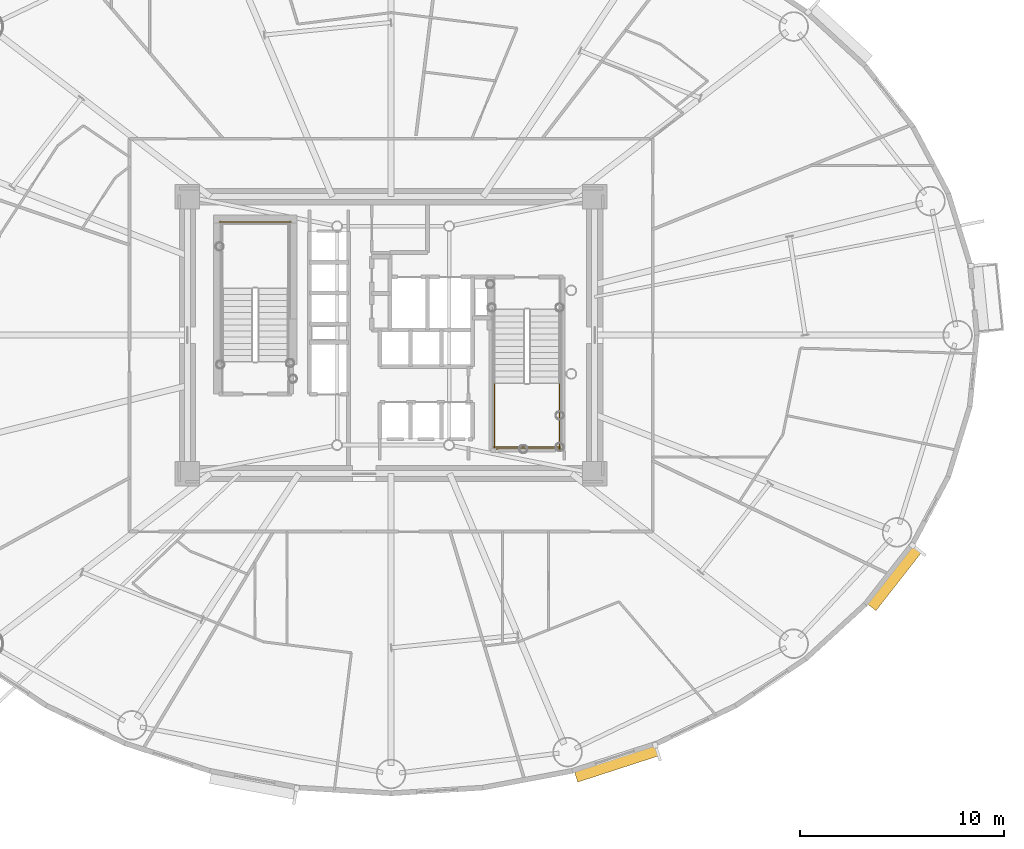
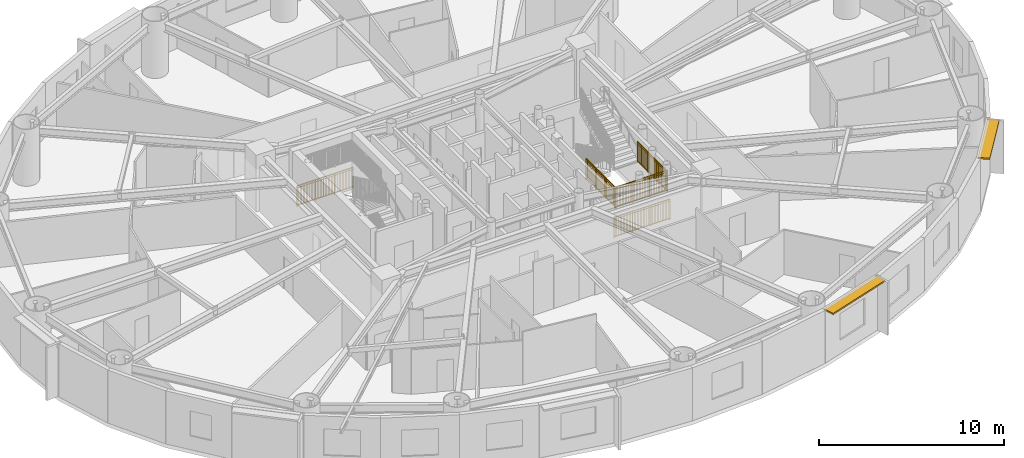
# One storey, part 18 of 21: 5 railings, 2 shading devices.
"""IFC4 building model written with IfcOpenShell, lengths in metres."""

import ifcopenshell
import ifcopenshell.guid

model = None  # the IFC model being written
_history = None  # IfcOwnerHistory: only IFC2X3 demands one
_inside = {}  # id of a spatial element -> (the spatial element, [elements in it])
_under = {}  # id of a project, library or spatial element -> (it, [spatial elements below it])
_declared = {}  # id of a project -> (the project, [libraries it declares])
_typed = {}  # id of a type object -> (the type object, [elements of that type])
_made_of = {}  # id of a material, layer set ... -> (it, [elements and type objects made of it])


def new_model(schema):
    """Start an empty IFC model of exactly this schema.

    Asked for "IFC4X3", IfcOpenShell would pick the latest addendum, in which some entities
    have other attributes; the version numbers below select the first issue.
    IFC2X3 requires an IfcOwnerHistory on every rooted entity: one is made here for all.
    """
    global model, _history
    if schema == "IFC4X3":
        model = ifcopenshell.file(schema_version=(4, 3, 0, 0))
    else:
        model = ifcopenshell.file(schema=schema)
    _inside.clear()
    _under.clear()
    _declared.clear()
    _typed.clear()
    _made_of.clear()
    _history = None
    if model.schema == "IFC2X3":
        org = make("IfcOrganization", Name="unknown")
        user = make(
            "IfcPersonAndOrganization",
            ThePerson=make("IfcPerson", FamilyName="unknown"),
            TheOrganization=org,
        )
        app = make(
            "IfcApplication",
            ApplicationDeveloper=org,
            Version="unknown",
            ApplicationFullName="unknown",
            ApplicationIdentifier="unknown",
        )
        _history = make(
            "IfcOwnerHistory",
            OwningUser=user,
            OwningApplication=app,
            ChangeAction="ADDED",
            CreationDate=0,
        )
    return model


def make(cls, **values):
    """One entity of the class cls with the attributes given. An attribute that is None is left unset."""
    return model.create_entity(
        cls, **{name: value for name, value in values.items() if value is not None}
    )


def rooted(cls, **values):
    """An entity with a GlobalId (a new one), such as an element, a storey or a relation."""
    return make(cls, GlobalId=ifcopenshell.guid.new(), OwnerHistory=_history, **values)


def si_unit(unit_type, name, prefix=None):
    """IfcSIUnit, for example si_unit("LENGTHUNIT", "METRE", prefix="MILLI")."""
    return make("IfcSIUnit", UnitType=unit_type, Prefix=prefix, Name=name)


def assignment(units):
    """IfcUnitAssignment: the units of a project."""
    return None if units is None else make("IfcUnitAssignment", Units=units)


def point(xyz):
    """IfcCartesianPoint."""
    return None if xyz is None else make("IfcCartesianPoint", Coordinates=xyz)


def direction(xyz):
    """IfcDirection."""
    return None if xyz is None else make("IfcDirection", DirectionRatios=xyz)


def frame(location, z_axis=None, x_axis=None):
    """IfcAxis2Placement3D, a coordinate frame: its origin and axes. An axis left out is left unset."""
    return make(
        "IfcAxis2Placement3D",
        Location=point(location),
        Axis=direction(z_axis),
        RefDirection=direction(x_axis),
    )


def frame_2d(location, x_axis=None):
    """IfcAxis2Placement2D, a coordinate frame in the plane: its origin and x axis."""
    return make(
        "IfcAxis2Placement2D", Location=point(location), RefDirection=direction(x_axis)
    )


def origin():
    """The frame at (0, 0, 0) with its axes left unset."""
    return frame((0.0, 0.0, 0.0))


def origin_2d():
    """The frame at (0, 0) in the plane with its x axis left unset."""
    return frame_2d((0.0, 0.0))


def place(relative_to, where):
    """IfcLocalPlacement: puts the frame where relative to a parent placement (None: the world)."""
    return make(
        "IfcLocalPlacement", PlacementRelTo=relative_to, RelativePlacement=where
    )


def context(
    kind, dimensions, precision=None, world=None, true_north=None, identifier=None
):
    """IfcGeometricRepresentationContext, for example the 3D "Model" context."""
    return make(
        "IfcGeometricRepresentationContext",
        ContextIdentifier=identifier,
        ContextType=kind,
        CoordinateSpaceDimension=dimensions,
        Precision=precision,
        WorldCoordinateSystem=world,
        TrueNorth=true_north,
    )


def subcontext(parent, identifier, kind, view, scale=None):
    """IfcGeometricRepresentationSubContext, for example "Body" below "Model"."""
    return make(
        "IfcGeometricRepresentationSubContext",
        ContextIdentifier=identifier,
        ContextType=kind,
        ParentContext=parent,
        TargetScale=scale,
        TargetView=view,
    )


def project(units=None, contexts=None):
    """IfcProject with its units and contexts."""
    return rooted(
        "IfcProject",
        Name="project",
        RepresentationContexts=contexts,
        UnitsInContext=assignment(units),
    )


def spatial(cls, under=None, at=None, **own):
    """A site, building, storey or space (cls), placed at a placement, below another one or the project."""
    s = rooted(cls, ObjectPlacement=at, **own)
    if under is not None:
        _under.setdefault(under.id(), (under, []))[1].append(s)
    return s


def profile(cls, at=None, kind="AREA", **sizes):
    """A parametric profile (cls). Its sizes go by their IFC names, for example OverallWidth=200.0."""
    return make(cls, ProfileType=kind, Position=at, **sizes)


def rectangle(**sizes):
    """IfcRectangleProfileDef."""
    return profile("IfcRectangleProfileDef", **sizes)


def extrude(swept, where, along, depth):
    """IfcExtrudedAreaSolid: the profile swept, set in the frame where, extruded along a direction by depth."""
    return make(
        "IfcExtrudedAreaSolid",
        SweptArea=swept,
        Position=where,
        ExtrudedDirection=direction(along),
        Depth=depth,
    )


def shape(context_of_items, identifier, shape_type, items):
    """IfcShapeRepresentation: the items that make up one representation, for example the "Body"."""
    return make(
        "IfcShapeRepresentation",
        ContextOfItems=context_of_items,
        RepresentationIdentifier=identifier,
        RepresentationType=shape_type,
        Items=items,
    )


def source(mapping_origin, context_of_items, identifier, shape_type, items):
    """IfcRepresentationMap: a shape defined once, which mapped items show again and again."""
    return make(
        "IfcRepresentationMap",
        MappingOrigin=mapping_origin,
        MappedRepresentation=shape(context_of_items, identifier, shape_type, items),
    )


def transform(
    local_origin,
    x_axis=None,
    y_axis=None,
    z_axis=None,
    scale=None,
    scale2=None,
    scale3=None,
    uniform=True,
):
    """IfcCartesianTransformationOperator3D, or its non-uniform kind. x_axis, y_axis, z_axis: its Axis1, 2, 3."""
    if uniform:
        return make(
            "IfcCartesianTransformationOperator3D",
            Axis1=direction(x_axis),
            Axis2=direction(y_axis),
            LocalOrigin=point(local_origin),
            Scale=scale,
            Axis3=direction(z_axis),
        )
    return make(
        "IfcCartesianTransformationOperator3DnonUniform",
        Axis1=direction(x_axis),
        Axis2=direction(y_axis),
        LocalOrigin=point(local_origin),
        Scale=scale,
        Axis3=direction(z_axis),
        Scale2=scale2,
        Scale3=scale3,
    )


def mapped(mapping_source, mapping_target):
    """IfcMappedItem: shows the shape of a source again, moved by a transform."""
    return make(
        "IfcMappedItem", MappingSource=mapping_source, MappingTarget=mapping_target
    )


def material(Name=None, Category=None):
    """IfcMaterial."""
    return make("IfcMaterial", Name=Name, Category=Category)


def layer(
    of_material, thickness, ventilated=None, Name=None, Category=None, Priority=None
):
    """IfcMaterialLayer: one layer of a wall or slab, of a material (None: an air gap)."""
    return make(
        "IfcMaterialLayer",
        Material=of_material,
        LayerThickness=thickness,
        IsVentilated=ventilated,
        Name=Name,
        Category=Category,
        Priority=Priority,
    )


def layer_set(layers, Name=None):
    """IfcMaterialLayerSet."""
    return make("IfcMaterialLayerSet", MaterialLayers=layers, LayerSetName=Name)


def made_of(thing, what):
    """Note that an element or type object is made of a material, layer set ...; save() writes the relation."""
    if what is not None:
        _made_of.setdefault(what.id(), (what, []))[1].append(thing)
    return thing


def type_object(cls, material=None, **own):
    """A type object (cls), such as IfcWallType, which elements share."""
    return made_of(rooted(cls, **own), material)


def element(
    cls,
    number,
    at=None,
    inside=None,
    cuts=None,
    type_object=None,
    material=None,
    context=None,
    identifier="Body",
    shape_type=None,
    held_by="IfcProductDefinitionShape",
    body=None,
    shapes=None,
    **own,
):
    """One element of the class cls, such as IfcWall. Its Tag is "e" and its number.

    at: its placement. inside: the storey or other place that contains it. cuts: it is an
    opening in that element (IfcRelVoidsElement). A single representation is given by context,
    identifier, shape_type and body (its items); several are given by shapes. held_by: the class
    of the entity that holds the representations. save() writes the other relations.
    """
    e = rooted(cls, Tag="e%d" % number, ObjectPlacement=at, **own)
    if body is not None:
        shapes = [shape(context, identifier, shape_type, body)]
    if shapes is not None:
        e.Representation = make(held_by, Representations=shapes)
    if inside is not None:
        _inside.setdefault(inside.id(), (inside, []))[1].append(e)
    if cuts is not None:
        rooted(
            "IfcRelVoidsElement", RelatingBuildingElement=cuts, RelatedOpeningElement=e
        )
    if type_object is not None:
        _typed.setdefault(type_object.id(), (type_object, []))[1].append(e)
    return made_of(e, material)


def aggregate(whole, parts):
    """IfcRelAggregates: a whole, such as a stair, and the parts it consists of."""
    return rooted("IfcRelAggregates", RelatingObject=whole, RelatedObjects=parts)


def save(model, path):
    """Write the relations noted so far, then the file.

    IfcRelAggregates (storeys below a building ...), IfcRelContainedInSpatialStructure (elements
    in a storey), IfcRelDefinesByType, IfcRelAssociatesMaterial and IfcRelDeclares: one each for
    every whole, place, type object, material and project.
    """
    for whole, parts in _under.values():
        aggregate(whole, parts)
    for where, things in _inside.values():
        rooted(
            "IfcRelContainedInSpatialStructure",
            RelatedElements=things,
            RelatingStructure=where,
        )
    for kind, things in _typed.values():
        rooted("IfcRelDefinesByType", RelatedObjects=things, RelatingType=kind)
    for what, things in _made_of.values():
        rooted("IfcRelAssociatesMaterial", RelatedObjects=things, RelatingMaterial=what)
    for by, libraries in _declared.values():
        rooted("IfcRelDeclares", RelatingContext=by, RelatedDefinitions=libraries)
    model.write(path)


model = new_model("IFC4")

# Units and contexts
model_context = context("Model", 3, precision=1e-05, world=origin(), true_north=direction((0.0, 1.0)))
body_context = subcontext(model_context, "Body", "Model", "MODEL_VIEW")
ifc_project = project(units=[si_unit("LENGTHUNIT", "METRE"), si_unit("AREAUNIT", "SQUARE_METRE"), si_unit("VOLUMEUNIT", "CUBIC_METRE"), si_unit("PLANEANGLEUNIT", "RADIAN"), si_unit("MASSUNIT", "GRAM", prefix="KILO")], contexts=[model_context])

# Site, building, storey
site_placement = place(None, origin())
site = spatial("IfcSite", under=ifc_project, at=site_placement, CompositionType="ELEMENT")
building_placement = place(site_placement, origin())
building = spatial("IfcBuilding", under=site, at=building_placement, Name="Linh Dai School and Residence Tower", CompositionType="ELEMENT")
storey_placement = place(building_placement, frame((0.0, 0.0, 97.199951171875)))
storey = spatial("IfcBuildingStorey", under=building, at=storey_placement, Name="L22", CompositionType="ELEMENT", Elevation=97.199951171875)

# Shading devices
ifc_material_1 = material(Name="Terracotta Ceramic Sunshade", Category="masonry")
ifc_layer = layer(ifc_material_1, 0.10009765625)
ifc_layer_set = layer_set([ifc_layer], Name="Terracotta Ceramic Sunshade")
shading_device_type = type_object("IfcShadingDeviceType", Name="SHD-TC-650", PredefinedType="USERDEFINED", material=ifc_layer_set)
shared_shape_1 = source(origin(), body_context, "Body", "SweptSolid", [
    extrude(rectangle(XDim=4.212890625, YDim=0.64990234375, at=origin_2d()), origin(), (0.0, 0.0, 1.0), 0.10009765625),
])
shading_device_1_placement = place(storey_placement, frame((47.07470703125, 6.004638671875, 3.3798828125), z_axis=(0.0, 0.0, 1.0), x_axis=(-0.951217089442, -0.308522363457, 0.0)))
element("IfcShadingDevice", 1, at=shading_device_1_placement, inside=storey, type_object=shading_device_type, Name="L22 Terracotta Horizontal Sunshade Band 33", ObjectType="SUNSHADE", PredefinedType="USERDEFINED", context=body_context, shape_type="MappedRepresentation", body=[
    mapped(shared_shape_1, transform((0.0, 0.0, 0.0), x_axis=(1.0, 0.0, 0.0), y_axis=(0.0, 1.0, 0.0), z_axis=(0.0, 0.0, 1.0), scale=1.0)),
])
shared_shape_2 = source(origin(), body_context, "Body", "SweptSolid", [
    extrude(rectangle(XDim=3.67041015625, YDim=0.64990234375, at=origin_2d()), origin(), (0.0, 0.0, 1.0), 0.10009765625),
])
shading_device_2_placement = place(storey_placement, frame((60.691650390625, 15.11328125, 3.3798828125), z_axis=(0.0, 0.0, 1.0), x_axis=(-0.616305017583, -0.787507539838, 0.0)))
element("IfcShadingDevice", 2, at=shading_device_2_placement, inside=storey, type_object=shading_device_type, Name="L22 Terracotta Horizontal Sunshade Band 37", ObjectType="SUNSHADE", PredefinedType="USERDEFINED", context=body_context, shape_type="MappedRepresentation", body=[
    mapped(shared_shape_2, transform((0.0, 0.0, 0.0), x_axis=(1.0, 0.0, 0.0), y_axis=(0.0, 1.0, 0.0), z_axis=(0.0, 0.0, 1.0), scale=1.0)),
])

# Railings
ifc_material_2 = material(Name="Structural Steel S355JR", Category="steel")
railing_type = type_object("IfcRailingType", Name="RL-ST-GUARD-1400", PredefinedType="GUARDRAIL", material=ifc_material_2)
shared_shape_3 = source(origin(), body_context, "Body", "SweptSolid", [
    extrude(rectangle(XDim=0.048095703125, YDim=0.048095703125, at=origin_2d()), frame((0.0, 0.0, 1.3759765625), z_axis=(-1.0, 0.0, 0.0), x_axis=(0.0, -1.0, 0.0)), (0.0, 0.0, 1.0), 3.5),
    extrude(rectangle(XDim=0.048095703125, YDim=0.048095703125, at=origin_2d()), frame((0.0, 0.0, 0.10009765625), z_axis=(-1.0, 0.0, 0.0), x_axis=(0.0, -1.0, 0.0)), (0.0, 0.0, 1.0), 3.5),
    extrude(rectangle(XDim=0.030029296875, YDim=0.030029296875, at=origin_2d()), frame((0.0, 0.0, 1.239990234375), z_axis=(-1.0, 0.0, 0.0), x_axis=(0.0, -1.0, 0.0)), (0.0, 0.0, 1.0), 3.5),
    extrude(rectangle(XDim=0.02001953125, YDim=0.02001953125, at=origin_2d()), frame((-0.09716796875, 0.0, 0.10009765625)), (0.0, 0.0, 1.0), 1.251708984375),
    extrude(rectangle(XDim=0.02001953125, YDim=0.02001953125, at=origin_2d()), frame((-0.1943359375, 0.0, 0.10009765625)), (0.0, 0.0, 1.0), 1.251708984375),
    extrude(rectangle(XDim=0.02001953125, YDim=0.02001953125, at=origin_2d()), frame((-0.291748046875, 0.0, 0.10009765625)), (0.0, 0.0, 1.0), 1.251708984375),
    extrude(rectangle(XDim=0.02001953125, YDim=0.02001953125, at=origin_2d()), frame((-0.388916015625, 0.0, 0.10009765625)), (0.0, 0.0, 1.0), 1.251708984375),
    extrude(rectangle(XDim=0.02001953125, YDim=0.02001953125, at=origin_2d()), frame((-0.486083984375, 0.0, 0.10009765625)), (0.0, 0.0, 1.0), 1.251708984375),
    extrude(rectangle(XDim=0.02001953125, YDim=0.02001953125, at=origin_2d()), frame((-0.583251953125, 0.0, 0.10009765625)), (0.0, 0.0, 1.0), 1.251708984375),
    extrude(rectangle(XDim=0.02001953125, YDim=0.02001953125, at=origin_2d()), frame((-0.6806640625, 0.0, 0.10009765625)), (0.0, 0.0, 1.0), 1.251708984375),
    extrude(rectangle(XDim=0.02001953125, YDim=0.02001953125, at=origin_2d()), frame((-0.77783203125, 0.0, 0.10009765625)), (0.0, 0.0, 1.0), 1.251708984375),
    extrude(rectangle(XDim=0.02001953125, YDim=0.02001953125, at=origin_2d()), frame((-0.875, 0.0, 0.10009765625)), (0.0, 0.0, 1.0), 1.251708984375),
    extrude(rectangle(XDim=0.02001953125, YDim=0.02001953125, at=origin_2d()), frame((-0.97216796875, 0.0, 0.10009765625)), (0.0, 0.0, 1.0), 1.251708984375),
    extrude(rectangle(XDim=0.02001953125, YDim=0.02001953125, at=origin_2d()), frame((-1.0693359375, 0.0, 0.10009765625)), (0.0, 0.0, 1.0), 1.251708984375),
    extrude(rectangle(XDim=0.02001953125, YDim=0.02001953125, at=origin_2d()), frame((-1.263916015625, 0.0, 0.10009765625)), (0.0, 0.0, 1.0), 1.251708984375),
    extrude(rectangle(XDim=0.02001953125, YDim=0.02001953125, at=origin_2d()), frame((-1.361083984375, 0.0, 0.10009765625)), (0.0, 0.0, 1.0), 1.251708984375),
    extrude(rectangle(XDim=0.02001953125, YDim=0.02001953125, at=origin_2d()), frame((-1.458251953125, 0.0, 0.10009765625)), (0.0, 0.0, 1.0), 1.251708984375),
    extrude(rectangle(XDim=0.02001953125, YDim=0.02001953125, at=origin_2d()), frame((-1.5556640625, 0.0, 0.10009765625)), (0.0, 0.0, 1.0), 1.251708984375),
    extrude(rectangle(XDim=0.02001953125, YDim=0.02001953125, at=origin_2d()), frame((-1.65283203125, 0.0, 0.10009765625)), (0.0, 0.0, 1.0), 1.251708984375),
    extrude(rectangle(XDim=0.02001953125, YDim=0.02001953125, at=origin_2d()), frame((-1.75, 0.0, 0.10009765625)), (0.0, 0.0, 1.0), 1.251708984375),
    extrude(rectangle(XDim=0.02001953125, YDim=0.02001953125, at=origin_2d()), frame((-1.84716796875, 0.0, 0.10009765625)), (0.0, 0.0, 1.0), 1.251708984375),
    extrude(rectangle(XDim=0.02001953125, YDim=0.02001953125, at=origin_2d()), frame((-1.9443359375, 0.0, 0.10009765625)), (0.0, 0.0, 1.0), 1.251708984375),
    extrude(rectangle(XDim=0.02001953125, YDim=0.02001953125, at=origin_2d()), frame((-2.041748046875, 0.0, 0.10009765625)), (0.0, 0.0, 1.0), 1.251708984375),
    extrude(rectangle(XDim=0.02001953125, YDim=0.02001953125, at=origin_2d()), frame((-2.138916015625, 0.0, 0.10009765625)), (0.0, 0.0, 1.0), 1.251708984375),
    extrude(rectangle(XDim=0.02001953125, YDim=0.02001953125, at=origin_2d()), frame((-2.236083984375, 0.0, 0.10009765625)), (0.0, 0.0, 1.0), 1.251708984375),
    extrude(rectangle(XDim=0.02001953125, YDim=0.02001953125, at=origin_2d()), frame((-2.4306640625, 0.0, 0.10009765625)), (0.0, 0.0, 1.0), 1.251708984375),
    extrude(rectangle(XDim=0.02001953125, YDim=0.02001953125, at=origin_2d()), frame((-2.52783203125, 0.0, 0.10009765625)), (0.0, 0.0, 1.0), 1.251708984375),
    extrude(rectangle(XDim=0.02001953125, YDim=0.02001953125, at=origin_2d()), frame((-2.625, 0.0, 0.10009765625)), (0.0, 0.0, 1.0), 1.251708984375),
    extrude(rectangle(XDim=0.02001953125, YDim=0.02001953125, at=origin_2d()), frame((-2.72216796875, 0.0, 0.10009765625)), (0.0, 0.0, 1.0), 1.251708984375),
    extrude(rectangle(XDim=0.02001953125, YDim=0.02001953125, at=origin_2d()), frame((-2.8193359375, 0.0, 0.10009765625)), (0.0, 0.0, 1.0), 1.251708984375),
    extrude(rectangle(XDim=0.02001953125, YDim=0.02001953125, at=origin_2d()), frame((-2.916748046875, 0.0, 0.10009765625)), (0.0, 0.0, 1.0), 1.251708984375),
    extrude(rectangle(XDim=0.02001953125, YDim=0.02001953125, at=origin_2d()), frame((-3.013916015625, 0.0, 0.10009765625)), (0.0, 0.0, 1.0), 1.251708984375),
    extrude(rectangle(XDim=0.02001953125, YDim=0.02001953125, at=origin_2d()), frame((-3.111083984375, 0.0, 0.10009765625)), (0.0, 0.0, 1.0), 1.251708984375),
    extrude(rectangle(XDim=0.02001953125, YDim=0.02001953125, at=origin_2d()), frame((-3.208251953125, 0.0, 0.10009765625)), (0.0, 0.0, 1.0), 1.251708984375),
    extrude(rectangle(XDim=0.02001953125, YDim=0.02001953125, at=origin_2d()), frame((-3.3056640625, 0.0, 0.10009765625)), (0.0, 0.0, 1.0), 1.251708984375),
    extrude(rectangle(XDim=0.02001953125, YDim=0.02001953125, at=origin_2d()), frame((-3.40283203125, 0.0, 0.10009765625)), (0.0, 0.0, 1.0), 1.251708984375),
    extrude(rectangle(XDim=0.0419921875, YDim=0.0419921875, at=origin_2d()), origin(), (0.0, 0.0, 1.0), 1.3759765625),
    extrude(rectangle(XDim=0.0419921875, YDim=0.0419921875, at=origin_2d()), frame((-1.166748046875, 0.0, 0.0)), (0.0, 0.0, 1.0), 1.3759765625),
    extrude(rectangle(XDim=0.0419921875, YDim=0.0419921875, at=origin_2d()), frame((-2.333251953125, 0.0, 0.0)), (0.0, 0.0, 1.0), 1.3759765625),
    extrude(rectangle(XDim=0.0419921875, YDim=0.0419921875, at=origin_2d()), frame((-3.5, 0.0, 0.0)), (0.0, 0.0, 1.0), 1.3759765625),
])
railing_1_placement = place(storey_placement, frame((31.080078125, 32.550048828125, 0.0)))
element("IfcRailing", 3, at=railing_1_placement, inside=storey, type_object=railing_type, Name="L22 ST1 stair guard 12", PredefinedType="GUARDRAIL", context=body_context, shape_type="MappedRepresentation", body=[
    mapped(shared_shape_3, transform((0.0, 0.0, 0.0), x_axis=(1.0, 0.0, 0.0), y_axis=(0.0, 1.0, 0.0), z_axis=(0.0, 0.0, 1.0), scale=1.0)),
])
shared_shape_4 = source(origin(), body_context, "Body", "SweptSolid", [
    extrude(rectangle(XDim=0.048095703125, YDim=0.048095703125, at=origin_2d()), frame((0.0, 0.0, 1.3759765625), z_axis=(1.0, 0.0, 0.0), x_axis=(0.0, 1.0, 0.0)), (0.0, 0.0, 1.0), 3.300048828125),
    extrude(rectangle(XDim=0.048095703125, YDim=0.048095703125, at=origin_2d()), frame((0.0, 0.0, 0.10009765625), z_axis=(1.0, 0.0, 0.0), x_axis=(0.0, 1.0, 0.0)), (0.0, 0.0, 1.0), 3.300048828125),
    extrude(rectangle(XDim=0.030029296875, YDim=0.030029296875, at=origin_2d()), frame((0.0, 0.0, 1.239990234375), z_axis=(1.0, 0.0, 0.0), x_axis=(0.0, 1.0, 0.0)), (0.0, 0.0, 1.0), 3.300048828125),
    extrude(rectangle(XDim=0.02001953125, YDim=0.02001953125, at=origin_2d()), frame((0.09716796875, 0.0, 0.10009765625)), (0.0, 0.0, 1.0), 1.251708984375),
    extrude(rectangle(XDim=0.02001953125, YDim=0.02001953125, at=origin_2d()), frame((0.194091796875, 0.0, 0.10009765625)), (0.0, 0.0, 1.0), 1.251708984375),
    extrude(rectangle(XDim=0.02001953125, YDim=0.02001953125, at=origin_2d()), frame((0.291259765625, 0.0, 0.10009765625)), (0.0, 0.0, 1.0), 1.251708984375),
    extrude(rectangle(XDim=0.02001953125, YDim=0.02001953125, at=origin_2d()), frame((0.38818359375, 0.0, 0.10009765625)), (0.0, 0.0, 1.0), 1.251708984375),
    extrude(rectangle(XDim=0.02001953125, YDim=0.02001953125, at=origin_2d()), frame((0.4853515625, 0.0, 0.10009765625)), (0.0, 0.0, 1.0), 1.251708984375),
    extrude(rectangle(XDim=0.02001953125, YDim=0.02001953125, at=origin_2d()), frame((0.582275390625, 0.0, 0.10009765625)), (0.0, 0.0, 1.0), 1.251708984375),
    extrude(rectangle(XDim=0.02001953125, YDim=0.02001953125, at=origin_2d()), frame((0.679443359375, 0.0, 0.10009765625)), (0.0, 0.0, 1.0), 1.251708984375),
    extrude(rectangle(XDim=0.02001953125, YDim=0.02001953125, at=origin_2d()), frame((0.7763671875, 0.0, 0.10009765625)), (0.0, 0.0, 1.0), 1.251708984375),
    extrude(rectangle(XDim=0.02001953125, YDim=0.02001953125, at=origin_2d()), frame((0.87353515625, 0.0, 0.10009765625)), (0.0, 0.0, 1.0), 1.251708984375),
    extrude(rectangle(XDim=0.02001953125, YDim=0.02001953125, at=origin_2d()), frame((0.970703125, 0.0, 0.10009765625)), (0.0, 0.0, 1.0), 1.251708984375),
    extrude(rectangle(XDim=0.02001953125, YDim=0.02001953125, at=origin_2d()), frame((1.164794921875, 0.0, 0.10009765625)), (0.0, 0.0, 1.0), 1.251708984375),
    extrude(rectangle(XDim=0.02001953125, YDim=0.02001953125, at=origin_2d()), frame((1.26171875, 0.0, 0.10009765625)), (0.0, 0.0, 1.0), 1.251708984375),
    extrude(rectangle(XDim=0.02001953125, YDim=0.02001953125, at=origin_2d()), frame((1.35888671875, 0.0, 0.10009765625)), (0.0, 0.0, 1.0), 1.251708984375),
    extrude(rectangle(XDim=0.02001953125, YDim=0.02001953125, at=origin_2d()), frame((1.455810546875, 0.0, 0.10009765625)), (0.0, 0.0, 1.0), 1.251708984375),
    extrude(rectangle(XDim=0.02001953125, YDim=0.02001953125, at=origin_2d()), frame((1.552978515625, 0.0, 0.10009765625)), (0.0, 0.0, 1.0), 1.251708984375),
    extrude(rectangle(XDim=0.02001953125, YDim=0.02001953125, at=origin_2d()), frame((1.64990234375, 0.0, 0.10009765625)), (0.0, 0.0, 1.0), 1.251708984375),
    extrude(rectangle(XDim=0.02001953125, YDim=0.02001953125, at=origin_2d()), frame((1.7470703125, 0.0, 0.10009765625)), (0.0, 0.0, 1.0), 1.251708984375),
    extrude(rectangle(XDim=0.02001953125, YDim=0.02001953125, at=origin_2d()), frame((1.84423828125, 0.0, 0.10009765625)), (0.0, 0.0, 1.0), 1.251708984375),
    extrude(rectangle(XDim=0.02001953125, YDim=0.02001953125, at=origin_2d()), frame((1.941162109375, 0.0, 0.10009765625)), (0.0, 0.0, 1.0), 1.251708984375),
    extrude(rectangle(XDim=0.02001953125, YDim=0.02001953125, at=origin_2d()), frame((2.038330078125, 0.0, 0.10009765625)), (0.0, 0.0, 1.0), 1.251708984375),
    extrude(rectangle(XDim=0.02001953125, YDim=0.02001953125, at=origin_2d()), frame((2.13525390625, 0.0, 0.10009765625)), (0.0, 0.0, 1.0), 1.251708984375),
    extrude(rectangle(XDim=0.02001953125, YDim=0.02001953125, at=origin_2d()), frame((2.329345703125, 0.0, 0.10009765625)), (0.0, 0.0, 1.0), 1.251708984375),
    extrude(rectangle(XDim=0.02001953125, YDim=0.02001953125, at=origin_2d()), frame((2.426513671875, 0.0, 0.10009765625)), (0.0, 0.0, 1.0), 1.251708984375),
    extrude(rectangle(XDim=0.02001953125, YDim=0.02001953125, at=origin_2d()), frame((2.523681640625, 0.0, 0.10009765625)), (0.0, 0.0, 1.0), 1.251708984375),
    extrude(rectangle(XDim=0.02001953125, YDim=0.02001953125, at=origin_2d()), frame((2.62060546875, 0.0, 0.10009765625)), (0.0, 0.0, 1.0), 1.251708984375),
    extrude(rectangle(XDim=0.02001953125, YDim=0.02001953125, at=origin_2d()), frame((2.7177734375, 0.0, 0.10009765625)), (0.0, 0.0, 1.0), 1.251708984375),
    extrude(rectangle(XDim=0.02001953125, YDim=0.02001953125, at=origin_2d()), frame((2.814697265625, 0.0, 0.10009765625)), (0.0, 0.0, 1.0), 1.251708984375),
    extrude(rectangle(XDim=0.02001953125, YDim=0.02001953125, at=origin_2d()), frame((2.911865234375, 0.0, 0.10009765625)), (0.0, 0.0, 1.0), 1.251708984375),
    extrude(rectangle(XDim=0.02001953125, YDim=0.02001953125, at=origin_2d()), frame((3.0087890625, 0.0, 0.10009765625)), (0.0, 0.0, 1.0), 1.251708984375),
    extrude(rectangle(XDim=0.02001953125, YDim=0.02001953125, at=origin_2d()), frame((3.10595703125, 0.0, 0.10009765625)), (0.0, 0.0, 1.0), 1.251708984375),
    extrude(rectangle(XDim=0.02001953125, YDim=0.02001953125, at=origin_2d()), frame((3.202880859375, 0.0, 0.10009765625)), (0.0, 0.0, 1.0), 1.251708984375),
    extrude(rectangle(XDim=0.0419921875, YDim=0.0419921875, at=origin_2d()), origin(), (0.0, 0.0, 1.0), 1.3759765625),
    extrude(rectangle(XDim=0.0419921875, YDim=0.0419921875, at=origin_2d()), frame((1.10009765625, 0.0, 0.0)), (0.0, 0.0, 1.0), 1.3759765625),
    extrude(rectangle(XDim=0.0419921875, YDim=0.0419921875, at=origin_2d()), frame((2.199951171875, 0.0, 0.0)), (0.0, 0.0, 1.0), 1.3759765625),
    extrude(rectangle(XDim=0.0419921875, YDim=0.0419921875, at=origin_2d()), frame((3.300048828125, 0.0, 0.0)), (0.0, 0.0, 1.0), 1.3759765625),
])
railing_2_placement = place(storey_placement, frame((41.02001953125, 21.5, 1.875)))
element("IfcRailing", 4, at=railing_2_placement, inside=storey, type_object=railing_type, Name="L22 ST2 stair guard 5", PredefinedType="GUARDRAIL", context=body_context, shape_type="MappedRepresentation", body=[
    mapped(shared_shape_4, transform((0.0, 0.0, 0.0), x_axis=(1.0, 0.0, 0.0), y_axis=(0.0, 1.0, 0.0), z_axis=(0.0, 0.0, 1.0), scale=1.0)),
])
shared_shape_5 = source(origin(), body_context, "Body", "SweptSolid", [
    extrude(rectangle(XDim=0.048095703125, YDim=0.048095703125, at=origin_2d()), frame((0.0, 0.0, 1.3759765625), z_axis=(1.0, 0.0, 0.0), x_axis=(0.0, 1.0, 0.0)), (0.0, 0.0, 1.0), 3.5),
    extrude(rectangle(XDim=0.048095703125, YDim=0.048095703125, at=origin_2d()), frame((0.0, 0.0, 0.10009765625), z_axis=(1.0, 0.0, 0.0), x_axis=(0.0, 1.0, 0.0)), (0.0, 0.0, 1.0), 3.5),
    extrude(rectangle(XDim=0.030029296875, YDim=0.030029296875, at=origin_2d()), frame((0.0, 0.0, 1.239990234375), z_axis=(1.0, 0.0, 0.0), x_axis=(0.0, 1.0, 0.0)), (0.0, 0.0, 1.0), 3.5),
    extrude(rectangle(XDim=0.02001953125, YDim=0.02001953125, at=origin_2d()), frame((0.09716796875, 0.0, 0.10009765625)), (0.0, 0.0, 1.0), 1.251708984375),
    extrude(rectangle(XDim=0.02001953125, YDim=0.02001953125, at=origin_2d()), frame((0.1943359375, 0.0, 0.10009765625)), (0.0, 0.0, 1.0), 1.251708984375),
    extrude(rectangle(XDim=0.02001953125, YDim=0.02001953125, at=origin_2d()), frame((0.291748046875, 0.0, 0.10009765625)), (0.0, 0.0, 1.0), 1.251708984375),
    extrude(rectangle(XDim=0.02001953125, YDim=0.02001953125, at=origin_2d()), frame((0.388916015625, 0.0, 0.10009765625)), (0.0, 0.0, 1.0), 1.251708984375),
    extrude(rectangle(XDim=0.02001953125, YDim=0.02001953125, at=origin_2d()), frame((0.486083984375, 0.0, 0.10009765625)), (0.0, 0.0, 1.0), 1.251708984375),
    extrude(rectangle(XDim=0.02001953125, YDim=0.02001953125, at=origin_2d()), frame((0.583251953125, 0.0, 0.10009765625)), (0.0, 0.0, 1.0), 1.251708984375),
    extrude(rectangle(XDim=0.02001953125, YDim=0.02001953125, at=origin_2d()), frame((0.6806640625, 0.0, 0.10009765625)), (0.0, 0.0, 1.0), 1.251708984375),
    extrude(rectangle(XDim=0.02001953125, YDim=0.02001953125, at=origin_2d()), frame((0.77783203125, 0.0, 0.10009765625)), (0.0, 0.0, 1.0), 1.251708984375),
    extrude(rectangle(XDim=0.02001953125, YDim=0.02001953125, at=origin_2d()), frame((0.875, 0.0, 0.10009765625)), (0.0, 0.0, 1.0), 1.251708984375),
    extrude(rectangle(XDim=0.02001953125, YDim=0.02001953125, at=origin_2d()), frame((0.97216796875, 0.0, 0.10009765625)), (0.0, 0.0, 1.0), 1.251708984375),
    extrude(rectangle(XDim=0.02001953125, YDim=0.02001953125, at=origin_2d()), frame((1.0693359375, 0.0, 0.10009765625)), (0.0, 0.0, 1.0), 1.251708984375),
    extrude(rectangle(XDim=0.02001953125, YDim=0.02001953125, at=origin_2d()), frame((1.263916015625, 0.0, 0.10009765625)), (0.0, 0.0, 1.0), 1.251708984375),
    extrude(rectangle(XDim=0.02001953125, YDim=0.02001953125, at=origin_2d()), frame((1.361083984375, 0.0, 0.10009765625)), (0.0, 0.0, 1.0), 1.251708984375),
    extrude(rectangle(XDim=0.02001953125, YDim=0.02001953125, at=origin_2d()), frame((1.458251953125, 0.0, 0.10009765625)), (0.0, 0.0, 1.0), 1.251708984375),
    extrude(rectangle(XDim=0.02001953125, YDim=0.02001953125, at=origin_2d()), frame((1.5556640625, 0.0, 0.10009765625)), (0.0, 0.0, 1.0), 1.251708984375),
    extrude(rectangle(XDim=0.02001953125, YDim=0.02001953125, at=origin_2d()), frame((1.65283203125, 0.0, 0.10009765625)), (0.0, 0.0, 1.0), 1.251708984375),
    extrude(rectangle(XDim=0.02001953125, YDim=0.02001953125, at=origin_2d()), frame((1.75, 0.0, 0.10009765625)), (0.0, 0.0, 1.0), 1.251708984375),
    extrude(rectangle(XDim=0.02001953125, YDim=0.02001953125, at=origin_2d()), frame((1.84716796875, 0.0, 0.10009765625)), (0.0, 0.0, 1.0), 1.251708984375),
    extrude(rectangle(XDim=0.02001953125, YDim=0.02001953125, at=origin_2d()), frame((1.9443359375, 0.0, 0.10009765625)), (0.0, 0.0, 1.0), 1.251708984375),
    extrude(rectangle(XDim=0.02001953125, YDim=0.02001953125, at=origin_2d()), frame((2.041748046875, 0.0, 0.10009765625)), (0.0, 0.0, 1.0), 1.251708984375),
    extrude(rectangle(XDim=0.02001953125, YDim=0.02001953125, at=origin_2d()), frame((2.138916015625, 0.0, 0.10009765625)), (0.0, 0.0, 1.0), 1.251708984375),
    extrude(rectangle(XDim=0.02001953125, YDim=0.02001953125, at=origin_2d()), frame((2.236083984375, 0.0, 0.10009765625)), (0.0, 0.0, 1.0), 1.251708984375),
    extrude(rectangle(XDim=0.02001953125, YDim=0.02001953125, at=origin_2d()), frame((2.4306640625, 0.0, 0.10009765625)), (0.0, 0.0, 1.0), 1.251708984375),
    extrude(rectangle(XDim=0.02001953125, YDim=0.02001953125, at=origin_2d()), frame((2.52783203125, 0.0, 0.10009765625)), (0.0, 0.0, 1.0), 1.251708984375),
    extrude(rectangle(XDim=0.02001953125, YDim=0.02001953125, at=origin_2d()), frame((2.625, 0.0, 0.10009765625)), (0.0, 0.0, 1.0), 1.251708984375),
    extrude(rectangle(XDim=0.02001953125, YDim=0.02001953125, at=origin_2d()), frame((2.72216796875, 0.0, 0.10009765625)), (0.0, 0.0, 1.0), 1.251708984375),
    extrude(rectangle(XDim=0.02001953125, YDim=0.02001953125, at=origin_2d()), frame((2.8193359375, 0.0, 0.10009765625)), (0.0, 0.0, 1.0), 1.251708984375),
    extrude(rectangle(XDim=0.02001953125, YDim=0.02001953125, at=origin_2d()), frame((2.916748046875, 0.0, 0.10009765625)), (0.0, 0.0, 1.0), 1.251708984375),
    extrude(rectangle(XDim=0.02001953125, YDim=0.02001953125, at=origin_2d()), frame((3.013916015625, 0.0, 0.10009765625)), (0.0, 0.0, 1.0), 1.251708984375),
    extrude(rectangle(XDim=0.02001953125, YDim=0.02001953125, at=origin_2d()), frame((3.111083984375, 0.0, 0.10009765625)), (0.0, 0.0, 1.0), 1.251708984375),
    extrude(rectangle(XDim=0.02001953125, YDim=0.02001953125, at=origin_2d()), frame((3.208251953125, 0.0, 0.10009765625)), (0.0, 0.0, 1.0), 1.251708984375),
    extrude(rectangle(XDim=0.02001953125, YDim=0.02001953125, at=origin_2d()), frame((3.3056640625, 0.0, 0.10009765625)), (0.0, 0.0, 1.0), 1.251708984375),
    extrude(rectangle(XDim=0.02001953125, YDim=0.02001953125, at=origin_2d()), frame((3.40283203125, 0.0, 0.10009765625)), (0.0, 0.0, 1.0), 1.251708984375),
    extrude(rectangle(XDim=0.0419921875, YDim=0.0419921875, at=origin_2d()), origin(), (0.0, 0.0, 1.0), 1.3759765625),
    extrude(rectangle(XDim=0.0419921875, YDim=0.0419921875, at=origin_2d()), frame((1.166748046875, 0.0, 0.0)), (0.0, 0.0, 1.0), 1.3759765625),
    extrude(rectangle(XDim=0.0419921875, YDim=0.0419921875, at=origin_2d()), frame((2.333251953125, 0.0, 0.0)), (0.0, 0.0, 1.0), 1.3759765625),
    extrude(rectangle(XDim=0.0419921875, YDim=0.0419921875, at=origin_2d()), frame((3.5, 0.0, 0.0)), (0.0, 0.0, 1.0), 1.3759765625),
])
railing_3_placement = place(storey_placement, frame((40.919921875, 21.39990234375, 0.0)))
element("IfcRailing", 5, at=railing_3_placement, inside=storey, type_object=railing_type, Name="L22 ST2 stair guard 12", PredefinedType="GUARDRAIL", context=body_context, shape_type="MappedRepresentation", body=[
    mapped(shared_shape_5, transform((0.0, 0.0, 0.0), x_axis=(1.0, 0.0, 0.0), y_axis=(0.0, 1.0, 0.0), z_axis=(0.0, 0.0, 1.0), scale=1.0)),
])
shared_shape_6 = source(origin(), body_context, "Body", "SweptSolid", [
    extrude(rectangle(XDim=0.048095703125, YDim=0.048095703125, at=origin_2d()), frame((0.0, 0.0, 1.3759765625), z_axis=(0.0, -1.0, 0.0), x_axis=(1.0, 0.0, 0.0)), (0.0, 0.0, 1.0), 3.199951171875),
    extrude(rectangle(XDim=0.048095703125, YDim=0.048095703125, at=origin_2d()), frame((0.0, 0.0, 0.10009765625), z_axis=(0.0, -1.0, 0.0), x_axis=(1.0, 0.0, 0.0)), (0.0, 0.0, 1.0), 3.199951171875),
    extrude(rectangle(XDim=0.030029296875, YDim=0.030029296875, at=origin_2d()), frame((0.0, 0.0, 1.239990234375), z_axis=(0.0, -1.0, 0.0), x_axis=(1.0, 0.0, 0.0)), (0.0, 0.0, 1.0), 3.199951171875),
    extrude(rectangle(XDim=0.02001953125, YDim=0.02001953125, at=origin_2d()), frame((0.0, -0.096923828125, 0.10009765625)), (0.0, 0.0, 1.0), 1.251708984375),
    extrude(rectangle(XDim=0.02001953125, YDim=0.02001953125, at=origin_2d()), frame((0.0, -0.19384765625, 0.10009765625)), (0.0, 0.0, 1.0), 1.251708984375),
    extrude(rectangle(XDim=0.02001953125, YDim=0.02001953125, at=origin_2d()), frame((0.0, -0.291015625, 0.10009765625)), (0.0, 0.0, 1.0), 1.251708984375),
    extrude(rectangle(XDim=0.02001953125, YDim=0.02001953125, at=origin_2d()), frame((0.0, -0.387939453125, 0.10009765625)), (0.0, 0.0, 1.0), 1.251708984375),
    extrude(rectangle(XDim=0.02001953125, YDim=0.02001953125, at=origin_2d()), frame((0.0, -0.48486328125, 0.10009765625)), (0.0, 0.0, 1.0), 1.251708984375),
    extrude(rectangle(XDim=0.02001953125, YDim=0.02001953125, at=origin_2d()), frame((0.0, -0.581787109375, 0.10009765625)), (0.0, 0.0, 1.0), 1.251708984375),
    extrude(rectangle(XDim=0.02001953125, YDim=0.02001953125, at=origin_2d()), frame((0.0, -0.6787109375, 0.10009765625)), (0.0, 0.0, 1.0), 1.251708984375),
    extrude(rectangle(XDim=0.02001953125, YDim=0.02001953125, at=origin_2d()), frame((0.0, -0.775634765625, 0.10009765625)), (0.0, 0.0, 1.0), 1.251708984375),
    extrude(rectangle(XDim=0.02001953125, YDim=0.02001953125, at=origin_2d()), frame((0.0, -0.872802734375, 0.10009765625)), (0.0, 0.0, 1.0), 1.251708984375),
    extrude(rectangle(XDim=0.02001953125, YDim=0.02001953125, at=origin_2d()), frame((0.0, -0.9697265625, 0.10009765625)), (0.0, 0.0, 1.0), 1.251708984375),
    extrude(rectangle(XDim=0.02001953125, YDim=0.02001953125, at=origin_2d()), frame((0.0, -1.16357421875, 0.10009765625)), (0.0, 0.0, 1.0), 1.251708984375),
    extrude(rectangle(XDim=0.02001953125, YDim=0.02001953125, at=origin_2d()), frame((0.0, -1.260498046875, 0.10009765625)), (0.0, 0.0, 1.0), 1.251708984375),
    extrude(rectangle(XDim=0.02001953125, YDim=0.02001953125, at=origin_2d()), frame((0.0, -1.357666015625, 0.10009765625)), (0.0, 0.0, 1.0), 1.251708984375),
    extrude(rectangle(XDim=0.02001953125, YDim=0.02001953125, at=origin_2d()), frame((0.0, -1.45458984375, 0.10009765625)), (0.0, 0.0, 1.0), 1.251708984375),
    extrude(rectangle(XDim=0.02001953125, YDim=0.02001953125, at=origin_2d()), frame((0.0, -1.551513671875, 0.10009765625)), (0.0, 0.0, 1.0), 1.251708984375),
    extrude(rectangle(XDim=0.02001953125, YDim=0.02001953125, at=origin_2d()), frame((0.0, -1.6484375, 0.10009765625)), (0.0, 0.0, 1.0), 1.251708984375),
    extrude(rectangle(XDim=0.02001953125, YDim=0.02001953125, at=origin_2d()), frame((0.0, -1.745361328125, 0.10009765625)), (0.0, 0.0, 1.0), 1.251708984375),
    extrude(rectangle(XDim=0.02001953125, YDim=0.02001953125, at=origin_2d()), frame((0.0, -1.84228515625, 0.10009765625)), (0.0, 0.0, 1.0), 1.251708984375),
    extrude(rectangle(XDim=0.02001953125, YDim=0.02001953125, at=origin_2d()), frame((0.0, -1.939453125, 0.10009765625)), (0.0, 0.0, 1.0), 1.251708984375),
    extrude(rectangle(XDim=0.02001953125, YDim=0.02001953125, at=origin_2d()), frame((0.0, -2.036376953125, 0.10009765625)), (0.0, 0.0, 1.0), 1.251708984375),
    extrude(rectangle(XDim=0.02001953125, YDim=0.02001953125, at=origin_2d()), frame((0.0, -2.230224609375, 0.10009765625)), (0.0, 0.0, 1.0), 1.251708984375),
    extrude(rectangle(XDim=0.02001953125, YDim=0.02001953125, at=origin_2d()), frame((0.0, -2.3271484375, 0.10009765625)), (0.0, 0.0, 1.0), 1.251708984375),
    extrude(rectangle(XDim=0.02001953125, YDim=0.02001953125, at=origin_2d()), frame((0.0, -2.42431640625, 0.10009765625)), (0.0, 0.0, 1.0), 1.251708984375),
    extrude(rectangle(XDim=0.02001953125, YDim=0.02001953125, at=origin_2d()), frame((0.0, -2.521240234375, 0.10009765625)), (0.0, 0.0, 1.0), 1.251708984375),
    extrude(rectangle(XDim=0.02001953125, YDim=0.02001953125, at=origin_2d()), frame((0.0, -2.6181640625, 0.10009765625)), (0.0, 0.0, 1.0), 1.251708984375),
    extrude(rectangle(XDim=0.02001953125, YDim=0.02001953125, at=origin_2d()), frame((0.0, -2.715087890625, 0.10009765625)), (0.0, 0.0, 1.0), 1.251708984375),
    extrude(rectangle(XDim=0.02001953125, YDim=0.02001953125, at=origin_2d()), frame((0.0, -2.81201171875, 0.10009765625)), (0.0, 0.0, 1.0), 1.251708984375),
    extrude(rectangle(XDim=0.02001953125, YDim=0.02001953125, at=origin_2d()), frame((0.0, -2.908935546875, 0.10009765625)), (0.0, 0.0, 1.0), 1.251708984375),
    extrude(rectangle(XDim=0.02001953125, YDim=0.02001953125, at=origin_2d()), frame((0.0, -3.006103515625, 0.10009765625)), (0.0, 0.0, 1.0), 1.251708984375),
    extrude(rectangle(XDim=0.02001953125, YDim=0.02001953125, at=origin_2d()), frame((0.0, -3.10302734375, 0.10009765625)), (0.0, 0.0, 1.0), 1.251708984375),
    extrude(rectangle(XDim=0.0419921875, YDim=0.0419921875, at=origin_2d()), origin(), (0.0, 0.0, 1.0), 1.3759765625),
    extrude(rectangle(XDim=0.0419921875, YDim=0.0419921875, at=origin_2d()), frame((0.0, -1.066650390625, 0.0)), (0.0, 0.0, 1.0), 1.3759765625),
    extrude(rectangle(XDim=0.0419921875, YDim=0.0419921875, at=origin_2d()), frame((0.0, -2.13330078125, 0.0)), (0.0, 0.0, 1.0), 1.3759765625),
    extrude(rectangle(XDim=0.0419921875, YDim=0.0419921875, at=origin_2d()), frame((0.0, -3.199951171875, 0.0)), (0.0, 0.0, 1.0), 1.3759765625),
])
for number, where, name in (
    (6, (41.070068359375, 24.64990234375, 1.875), "L22 ST2 stair guard 3"),
    (7, (44.27001953125, 24.64990234375, 1.875), "L22 ST2 stair guard 4"),
):
    element("IfcRailing", number, at=place(storey_placement, frame(where)), inside=storey, type_object=railing_type, Name=name, PredefinedType="GUARDRAIL", context=body_context, shape_type="MappedRepresentation", body=[
        mapped(shared_shape_6, transform((0.0, 0.0, 0.0), x_axis=(1.0, 0.0, 0.0), y_axis=(0.0, 1.0, 0.0), z_axis=(0.0, 0.0, 1.0), scale=1.0)),
    ])

save(model, "model.ifc")
